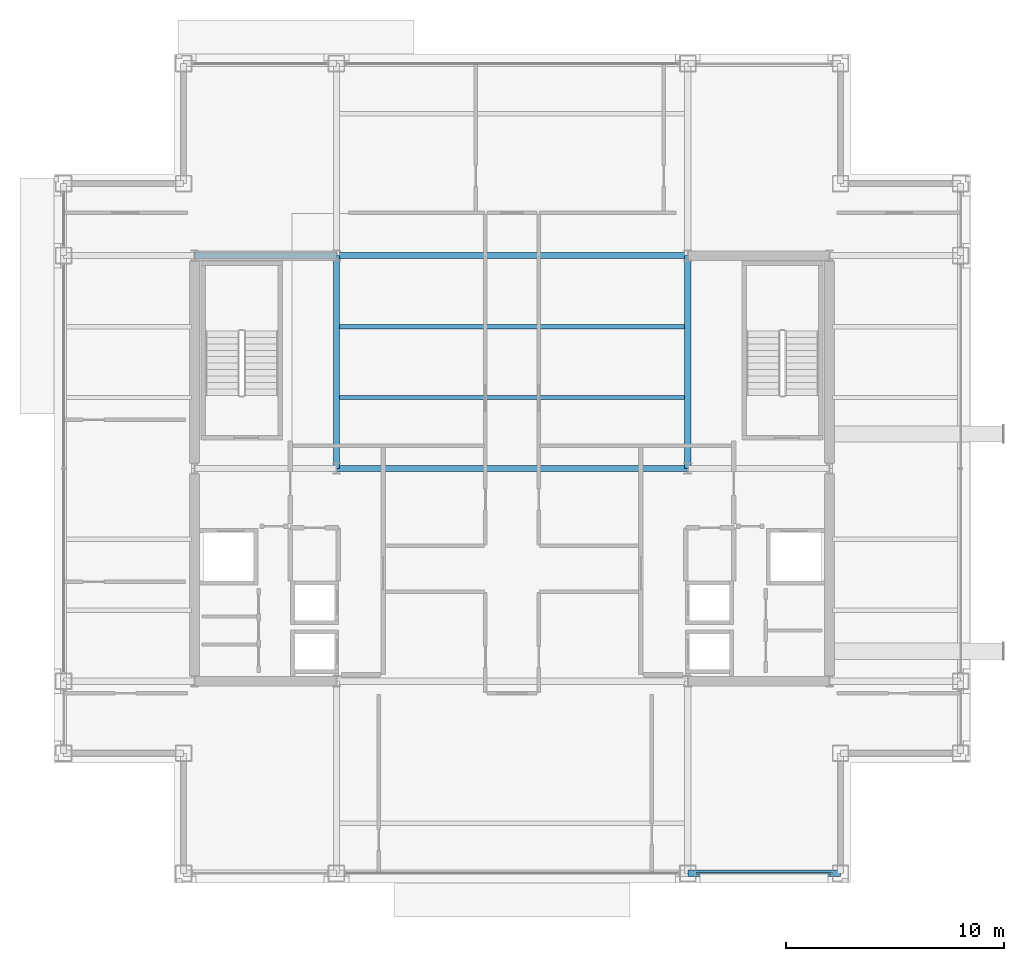
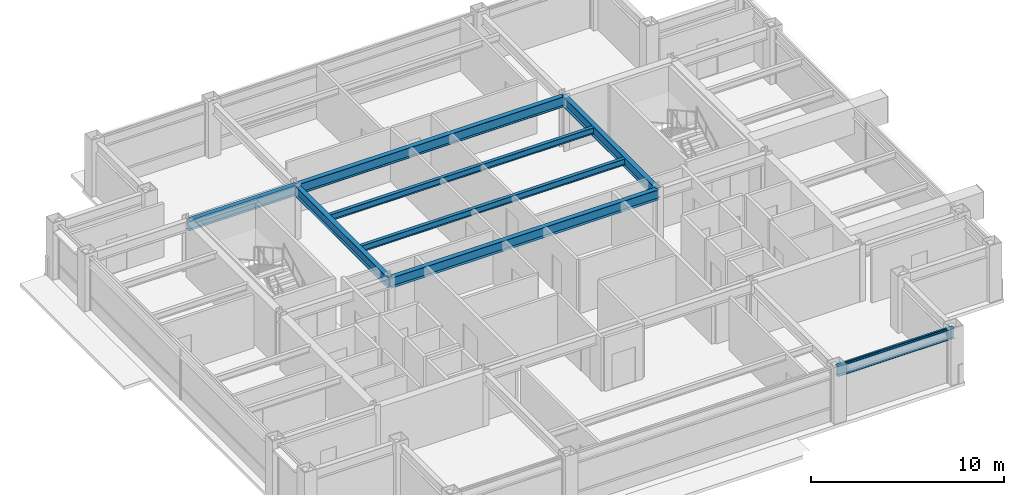
# One storey, part 10 of 26: 8 beams, 1 member, 1 element without a shape of its own.
"""IFC4 building model written with IfcOpenShell, lengths in metres."""

from ifc_helpers import new_model, si_unit, direction, frame, origin, origin_2d, place, context, subcontext, project, spatial, hollow_rectangle, i_section, extrude, material, layer, layer_set, material_profile, profile_set, type_object, element, aggregate, save


model = new_model("IFC4")

# Units and contexts
model_context = context("Model", 3, precision=1e-05, world=origin(), true_north=direction((0.0, 1.0)))
body_context = subcontext(model_context, "Body", "Model", "MODEL_VIEW")
ifc_project = project(units=[si_unit("LENGTHUNIT", "METRE"), si_unit("AREAUNIT", "SQUARE_METRE"), si_unit("VOLUMEUNIT", "CUBIC_METRE"), si_unit("PLANEANGLEUNIT", "RADIAN"), si_unit("MASSUNIT", "GRAM", prefix="KILO")], contexts=[model_context])

# Site, building, storey
site_placement = place(None, origin())
site = spatial("IfcSite", under=ifc_project, at=site_placement, CompositionType="ELEMENT")
building_placement = place(site_placement, origin())
building = spatial("IfcBuilding", under=site, at=building_placement, Name="Brelmoor Portico Tower", CompositionType="ELEMENT")
storey_placement = place(building_placement, frame((0.0, 0.0, 180.300048828125)))
storey = spatial("IfcBuildingStorey", under=building, at=storey_placement, Name="L47", CompositionType="ELEMENT", Elevation=180.300048828125)

# Beams
ifc_material_1 = material(Name="Steel Q355B", Category="steel")
ifc_material_profile_1 = material_profile(ifc_material_1, i_section(OverallWidth=0.199951171875, OverallDepth=0.39990234375, WebThickness=0.008056640625, FlangeThickness=0.012939453125, at=origin_2d()), Name="HN 400x200x8x13")
ifc_profile_set_1 = profile_set([ifc_material_profile_1], Name="Steel Q355B")
beam_type_1 = type_object("IfcBeamType", Name="BM-JS-400", PredefinedType="JOIST", material=ifc_profile_set_1)
for number, where, z_axis, x_axis, name in (
    (1, (-7.909912109375, 3.25, 3.199951171875), (1.0, 0.0, 0.0), (0.0, 1.0, 0.0), "L47 Secondary Composite Joist JS-C02"),
    (2, (-7.909912109375, 6.5, 3.199951171875), (1.0, 0.0, 0.0), (0.0, 1.0, 0.0), "L47 Secondary Composite Joist JS-C03"),
):
    element("IfcBeam", number, at=place(storey_placement, frame(where, z_axis=z_axis, x_axis=x_axis)), inside=storey, type_object=beam_type_1, Name=name, PredefinedType="JOIST", context=body_context, shape_type="SweptSolid", body=[
        extrude(i_section(OverallWidth=0.199951171875, OverallDepth=0.39990234375, WebThickness=0.008056640625, FlangeThickness=0.012939453125, at=origin_2d()), origin(), (0.0, 0.0, 1.0), 15.81982421875),
    ])
ifc_material_profile_2 = material_profile(ifc_material_1, i_section(OverallWidth=0.280029296875, OverallDepth=0.64990234375, WebThickness=0.012939453125, FlangeThickness=0.02197265625, at=origin_2d()), Name="HN 650x280x13x22")
ifc_profile_set_2 = profile_set([ifc_material_profile_2], Name="Steel Q355B")
beam_type_2 = type_object("IfcBeamType", Name="BM-PG-650", PredefinedType="BEAM", material=ifc_profile_set_2)
for number, where, z_axis, x_axis, name in (
    (3, (-8.050048828125, 0.0, 3.074951171875), (0.0, 1.0, 0.0), (-1.0, 0.0, 0.0), "L47 Primary Floor Girder PG-04"),
    (4, (8.050048828125, 0.0, 3.074951171875), (0.0, 1.0, 0.0), (-1.0, 0.0, 0.0), "L47 Primary Floor Girder PG-07"),
):
    element("IfcBeam", number, at=place(storey_placement, frame(where, z_axis=z_axis, x_axis=x_axis)), inside=storey, type_object=beam_type_2, Name=name, PredefinedType="BEAM", context=body_context, shape_type="SweptSolid", body=[
        extrude(i_section(OverallWidth=0.280029296875, OverallDepth=0.64990234375, WebThickness=0.012939453125, FlangeThickness=0.02197265625, at=origin_2d()), origin(), (0.0, 0.0, 1.0), 9.75),
    ])
beam_1_placement = place(storey_placement, frame((-8.050048828125, 0.0, 3.074951171875), z_axis=(1.0, 0.0, 0.0), x_axis=(0.0, 1.0, 0.0)))
element("IfcBeam", 5, at=beam_1_placement, inside=storey, type_object=beam_type_2, Name="L47 Primary Floor Girder PG-17", PredefinedType="BEAM", context=body_context, shape_type="SweptSolid", body=[
    extrude(i_section(OverallWidth=0.280029296875, OverallDepth=0.64990234375, WebThickness=0.012939453125, FlangeThickness=0.02197265625, at=origin_2d()), origin(), (0.0, 0.0, 1.0), 16.10009765625),
])
beam_2_placement = place(storey_placement, frame((-14.550048828125, 9.75, 3.074951171875), z_axis=(1.0, 0.0, 0.0), x_axis=(0.0, 1.0, 0.0)))
element("IfcBeam", 6, at=beam_2_placement, inside=storey, type_object=beam_type_2, Name="L47 Primary Floor Girder PG-20", PredefinedType="BEAM", context=body_context, shape_type="SweptSolid", body=[
    extrude(i_section(OverallWidth=0.280029296875, OverallDepth=0.64990234375, WebThickness=0.012939453125, FlangeThickness=0.02197265625, at=origin_2d()), origin(), (0.0, 0.0, 1.0), 6.5),
])
beam_3_placement = place(storey_placement, frame((-8.050048828125, 9.75, 3.074951171875), z_axis=(1.0, 0.0, 0.0), x_axis=(0.0, 1.0, 0.0)))
element("IfcBeam", 7, at=beam_3_placement, inside=storey, type_object=beam_type_2, Name="L47 Primary Floor Girder PG-21", PredefinedType="BEAM", context=body_context, shape_type="SweptSolid", body=[
    extrude(i_section(OverallWidth=0.280029296875, OverallDepth=0.64990234375, WebThickness=0.012939453125, FlangeThickness=0.02197265625, at=origin_2d()), origin(), (0.0, 0.0, 1.0), 16.10009765625),
])
ifc_material_profile_3 = material_profile(ifc_material_1, i_section(OverallWidth=0.280029296875, OverallDepth=0.64990234375, WebThickness=0.012939453125, FlangeThickness=0.02197265625, at=origin_2d()), Name="HN 650x280x13x22")
ifc_profile_set_3 = profile_set([ifc_material_profile_3], Name="Steel Q355B")
beam_type_3 = type_object("IfcBeamType", Name="BM-SP-650", PredefinedType="SPANDREL", material=ifc_profile_set_3)
beam_4_placement = place(storey_placement, frame((8.050048828125, -18.550048828125, 3.074951171875), z_axis=(1.0, 0.0, 0.0), x_axis=(0.0, 1.0, 0.0)))
element("IfcBeam", 8, at=beam_4_placement, inside=storey, type_object=beam_type_3, Name="L47 Perimeter Spandrel Beam SP-03", PredefinedType="SPANDREL", context=body_context, shape_type="SweptSolid", body=[
    extrude(i_section(OverallWidth=0.280029296875, OverallDepth=0.64990234375, WebThickness=0.012939453125, FlangeThickness=0.02197265625, at=origin_2d()), origin(), (0.0, 0.0, 1.0), 7.0),
])

# Curtain wall, member
ifc_material_2 = material(Name="Anodised Aluminium Alloy 6063-T6", Category="aluminium")
ifc_layer = layer(ifc_material_2, 0.179931640625)
ifc_layer_set = layer_set([ifc_layer], Name="Anodised Aluminium Alloy 6063-T6")
curtain_wall_type = type_object("IfcCurtainWallType", Name="CW-TOWER-Z3-XB", PredefinedType="NOTDEFINED", material=ifc_layer_set)
curtain_wall_placement = place(storey_placement, origin())
curtain_wall = element("IfcCurtainWall", 9, at=curtain_wall_placement, inside=storey, type_object=curtain_wall_type, Name="L47 Curtain Wall CW-L47-01-3", PredefinedType="NOTDEFINED")
ifc_material_profile_4 = material_profile(ifc_material_2, hollow_rectangle(XDim=0.06005859375, YDim=0.125, WallThickness=0.00341796875, at=origin_2d()), Name="ALU TRANSOM 60x125")
ifc_profile_set_4 = profile_set([ifc_material_profile_4], Name="Anodised Aluminium Alloy 6063-T6")
member_type = type_object("IfcMemberType", Name="MB-CW-TRAN-125", PredefinedType="USERDEFINED", material=ifc_profile_set_4)
member_placement = place(storey_placement, frame((8.43505859375, -18.550048828125, 3.33740234375), z_axis=(1.0, 0.0, 0.0), x_axis=(0.0, 1.0, 0.0)))
member = element("IfcMember", 10, at=member_placement, type_object=member_type, Name="CW-L47-01-3 Transom 1-00", ObjectType="TRANSOM", PredefinedType="USERDEFINED", context=body_context, shape_type="SweptSolid", body=[
    extrude(hollow_rectangle(XDim=0.06005859375, YDim=0.125, WallThickness=0.00341796875, at=origin_2d()), origin(), (0.0, 0.0, 1.0), 6.22998046875),
])
aggregate(curtain_wall, [member])

save(model, "model.ifc")
